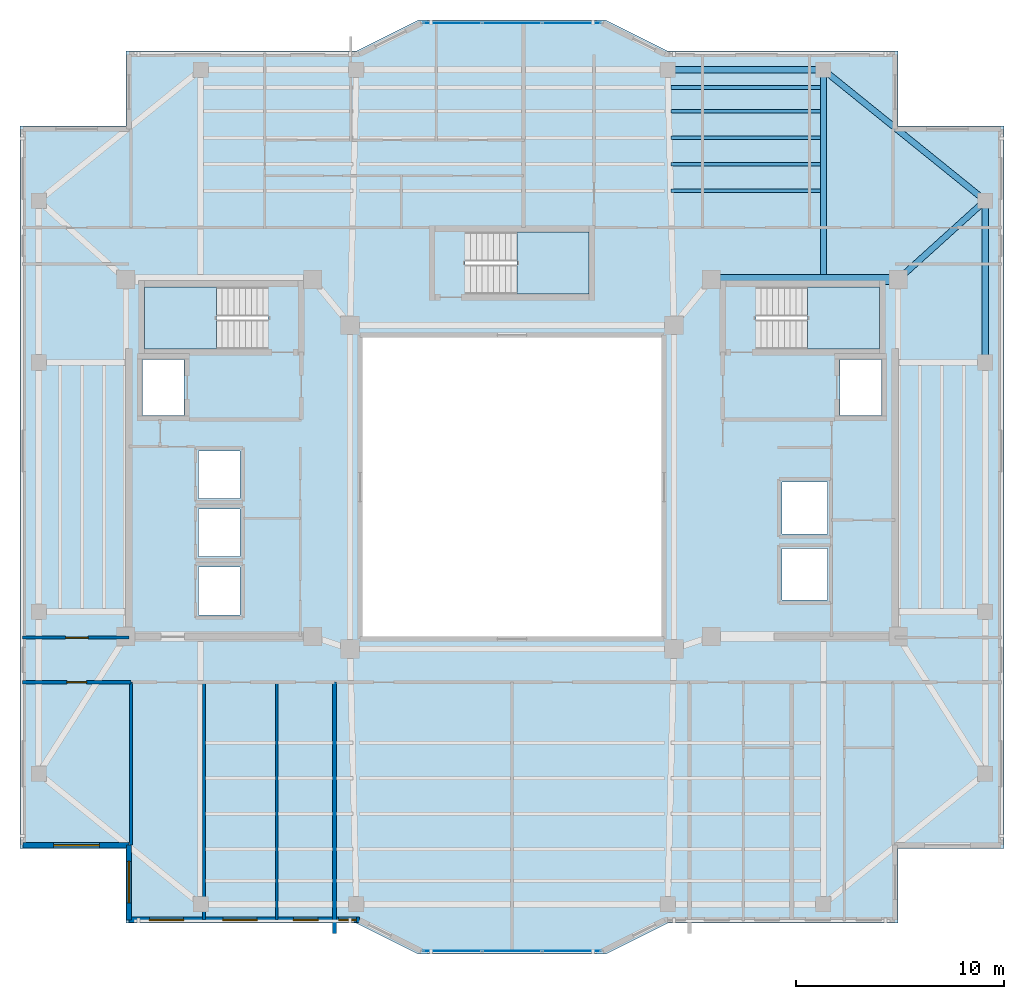
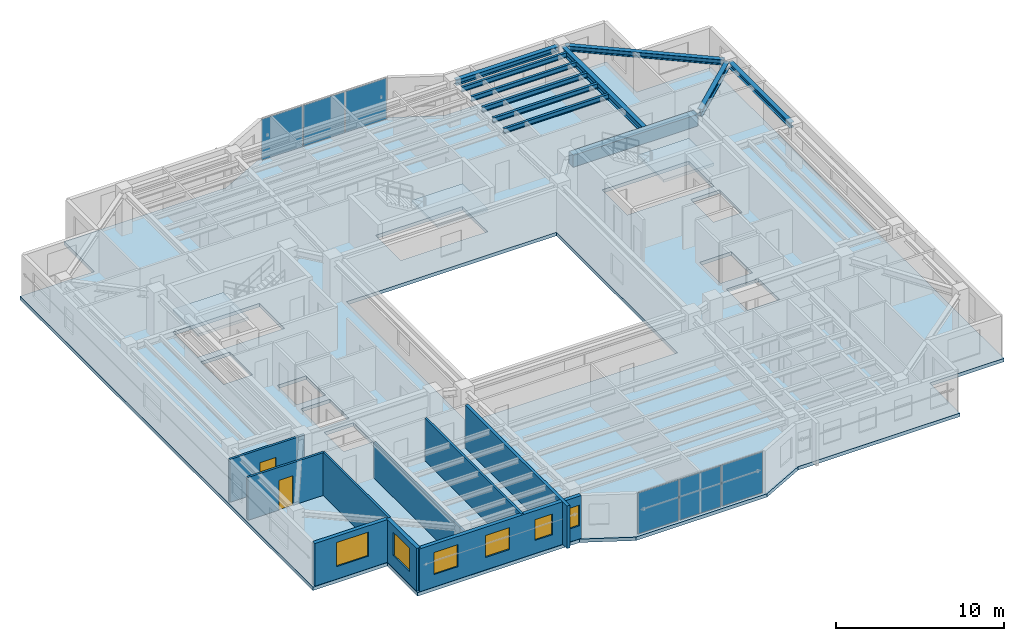
# One storey, part 5 of 13: 11 beams, 9 walls, 6 plates, 6 windows, 4 slabs, 2 doors, 8 openings, 5 elements without a shape of their own.
"""IFC4 building model written with IfcOpenShell, lengths in metres."""

from ifc_helpers import new_model, si_unit, direction, frame, frame_2d, origin, origin_2d, place, context, subcontext, project, spatial, polyline, rectangle, i_section, outline, extrude, material, layer, layer_set, material_profile, profile_set, type_object, element, fill, aggregate, save


model = new_model("IFC4")

# Units and contexts
model_context = context("Model", 3, precision=1e-05, world=origin(), true_north=direction((0.0, 1.0)))
body_context = subcontext(model_context, "Body", "Model", "MODEL_VIEW")
ifc_project = project(units=[si_unit("LENGTHUNIT", "METRE"), si_unit("AREAUNIT", "SQUARE_METRE"), si_unit("VOLUMEUNIT", "CUBIC_METRE"), si_unit("PLANEANGLEUNIT", "RADIAN"), si_unit("MASSUNIT", "GRAM", prefix="KILO")], contexts=[model_context])

# Site, building, storey
site_placement = place(None, origin())
site = spatial("IfcSite", under=ifc_project, at=site_placement, CompositionType="ELEMENT")
building_placement = place(site_placement, origin())
building = spatial("IfcBuilding", under=site, at=building_placement, Name="Tarnavaz Court Tower", CompositionType="ELEMENT")
storey_placement = place(building_placement, frame((0.0, 0.0, 193.60009765625)))
storey = spatial("IfcBuildingStorey", under=building, at=storey_placement, Name="L52", CompositionType="ELEMENT", Elevation=193.60009765625)

# Beams
ifc_material_1 = material(Name="Concrete C50/60", Category="concrete")
ifc_material_profile_1 = material_profile(ifc_material_1, rectangle(XDim=0.5, YDim=0.85009765625, at=origin_2d()), Name="RC 500X850")
ifc_profile_set_1 = profile_set([ifc_material_profile_1], Name="Concrete C50/60")
beam_type_1 = type_object("IfcBeamType", Name="BM-CB850", PredefinedType="LINTEL", material=ifc_profile_set_1)
beam_1_placement = place(storey_placement, frame((18.3798828125, 10.0, 2.6748046875), z_axis=(-1.0, 0.0, 0.0), x_axis=(0.0, -1.0, 0.0)))
element("IfcBeam", 1, at=beam_1_placement, inside=storey, type_object=beam_type_1, Name="L52 Beam IN-CE-NO-CE-NI", PredefinedType="LINTEL", context=body_context, shape_type="SweptSolid", body=[
    extrude(rectangle(XDim=0.5, YDim=0.85009765625, at=origin_2d()), origin(), (0.0, 0.0, 1.0), 8.559814453125),
])
ifc_material_2 = material(Name="Steel S355", Category="steel")
ifc_material_profile_2 = material_profile(ifc_material_2, i_section(OverallWidth=0.300048828125, OverallDepth=0.5, WebThickness=0.014404296875, FlangeThickness=0.028076171875, FilletRadius=0.027099609375, at=origin_2d()), Name="HEB 500")
ifc_profile_set_2 = profile_set([ifc_material_profile_2], Name="Steel S355")
beam_type_2 = type_object("IfcBeamType", Name="BM-G-HEB500", PredefinedType="USERDEFINED", material=ifc_profile_set_2)
beam_2_placement = place(storey_placement, frame((15.0, 10.0400390625, 2.849853515625), z_axis=(0.0, 1.0, 0.0), x_axis=(-1.0, 0.0, 0.0)))
element("IfcBeam", 2, at=beam_2_placement, inside=storey, type_object=beam_type_2, Name="L52 Beam RG-04", ObjectType="GIRDER", PredefinedType="USERDEFINED", context=body_context, shape_type="SweptSolid", body=[
    extrude(i_section(OverallWidth=0.300048828125, OverallDepth=0.5, WebThickness=0.014404296875, FlangeThickness=0.028076171875, FilletRadius=0.027099609375, at=origin_2d()), origin(), (0.0, 0.0, 1.0), 9.83984375),
])
beam_3_placement = place(storey_placement, frame((18.76318359375, 10.147705078125, 2.849853515625), z_axis=(0.741555708494, 0.670891296113, 0.0), x_axis=(-0.670891296113, 0.741555708494, 0.0)))
element("IfcBeam", 3, at=beam_3_placement, inside=storey, type_object=beam_type_2, Name="L52 Beam RG-12", ObjectType="GIRDER", PredefinedType="USERDEFINED", context=body_context, shape_type="SweptSolid", body=[
    extrude(i_section(OverallWidth=0.300048828125, OverallDepth=0.5, WebThickness=0.014404296875, FlangeThickness=0.028076171875, FilletRadius=0.027099609375, at=origin_2d()), origin(), (0.0, 0.0, 1.0), 5.223876953125),
])
ifc_material_profile_3 = material_profile(ifc_material_2, i_section(OverallWidth=0.169921875, OverallDepth=0.360107421875, WebThickness=0.008056640625, FlangeThickness=0.0126953125, FilletRadius=0.01806640625, at=origin_2d()), Name="IPE 360")
ifc_profile_set_3 = profile_set([ifc_material_profile_3], Name="Steel S355")
beam_type_3 = type_object("IfcBeamType", Name="BM-J-IPE360", PredefinedType="JOIST", material=ifc_profile_set_3)
for number, where, z_axis, x_axis, name in (
    (4, (7.64990234375, 14.278076171875, 2.919921875), (1.0, 0.0, 0.0), (0.0, 1.0, 0.0), "L52 Beam JN1-3"),
    (5, (7.64990234375, 15.555908203125, 2.919921875), (1.0, 0.0, 0.0), (0.0, 1.0, 0.0), "L52 Beam JN2-3"),
    (6, (7.64990234375, 16.833984375, 2.919921875), (1.0, 0.0, 0.0), (0.0, 1.0, 0.0), "L52 Beam JN3-3"),
    (7, (7.64990234375, 18.112060546875, 2.919921875), (1.0, 0.0, 0.0), (0.0, 1.0, 0.0), "L52 Beam JN4-3"),
    (8, (7.64990234375, 19.248046875, 2.919921875), (1.0, 0.0, 0.0), (0.0, 1.0, 0.0), "L52 Beam JN5-3"),
):
    element("IfcBeam", number, at=place(storey_placement, frame(where, z_axis=z_axis, x_axis=x_axis)), inside=storey, type_object=beam_type_3, Name=name, PredefinedType="JOIST", context=body_context, shape_type="SweptSolid", body=[
        extrude(i_section(OverallWidth=0.169921875, OverallDepth=0.360107421875, WebThickness=0.008056640625, FlangeThickness=0.0126953125, FilletRadius=0.01806640625, at=origin_2d()), origin(), (0.0, 0.0, 1.0), 7.2001953125),
    ])
ifc_material_profile_4 = material_profile(ifc_material_2, i_section(OverallWidth=0.300048828125, OverallDepth=0.389892578125, WebThickness=0.010986328125, FlangeThickness=0.01904296875, FilletRadius=0.027099609375, at=origin_2d()), Name="HEA 400")
ifc_profile_set_4 = profile_set([ifc_material_profile_4], Name="Steel S355")
beam_type_4 = type_object("IfcBeamType", Name="BM-SP-HEA400", PredefinedType="BEAM", material=ifc_profile_set_4)
beam_4_placement = place(storey_placement, frame((7.719970703125, 20.10009765625, 2.90478515625), z_axis=(1.0, 0.0, 0.0), x_axis=(0.0, 1.0, 0.0)))
element("IfcBeam", 9, at=beam_4_placement, inside=storey, type_object=beam_type_4, Name="L52 Beam PR-PN-3-PN-4", PredefinedType="BEAM", context=body_context, shape_type="SweptSolid", body=[
    extrude(i_section(OverallWidth=0.300048828125, OverallDepth=0.389892578125, WebThickness=0.010986328125, FlangeThickness=0.01904296875, FilletRadius=0.027099609375, at=origin_2d()), origin(), (0.0, 0.0, 1.0), 7.06005859375),
])
beam_5_placement = place(storey_placement, frame((22.800048828125, 6.219970703125, 2.90478515625), z_axis=(0.0, 1.0, 0.0), x_axis=(-1.0, 0.0, 0.0)))
element("IfcBeam", 10, at=beam_5_placement, inside=storey, type_object=beam_type_4, Name="L52 Beam PR-PE-3-PE-4", PredefinedType="BEAM", context=body_context, shape_type="SweptSolid", body=[
    extrude(i_section(OverallWidth=0.300048828125, OverallDepth=0.389892578125, WebThickness=0.010986328125, FlangeThickness=0.01904296875, FilletRadius=0.027099609375, at=origin_2d()), origin(), (0.0, 0.0, 1.0), 7.360107421875),
])
beam_6_placement = place(storey_placement, frame((15.171142578125, 19.9619140625, 2.90478515625), z_axis=(0.777935913531, -0.628343627674, 0.0), x_axis=(0.628343627674, 0.777935913531, 0.0)))
element("IfcBeam", 11, at=beam_6_placement, inside=storey, type_object=beam_type_4, Name="L52 Beam PR-PN-4-PE-4", PredefinedType="BEAM", context=body_context, shape_type="SweptSolid", body=[
    extrude(i_section(OverallWidth=0.300048828125, OverallDepth=0.389892578125, WebThickness=0.010986328125, FlangeThickness=0.01904296875, FilletRadius=0.027099609375, at=origin_2d()), origin(), (0.0, 0.0, 1.0), 9.586669921875),
])

# Curtain wall, plates
ifc_material_3 = material(Name="Anodised Aluminium 6063-T6 and Solar Low-E Glazing", Category="aluminium")
ifc_layer_1 = layer(ifc_material_3, 0.159912109375)
ifc_layer_set_1 = layer_set([ifc_layer_1], Name="Anodised Aluminium 6063-T6 and Solar Low-E Glazing")
curtain_wall_type = type_object("IfcCurtainWallType", Name="CW-SYS-03", PredefinedType="NOTDEFINED", material=ifc_layer_set_1)
curtain_wall_1_placement = place(storey_placement, origin())
curtain_wall_1 = element("IfcCurtainWall", 12, at=curtain_wall_1_placement, inside=storey, type_object=curtain_wall_type, Name="L52 Iwan Prow Curtain Wall 7", PredefinedType="NOTDEFINED")
ifc_material_4 = material(Name="Double-Glazed Solar Low-E Glass", Category="glass")
ifc_layer_2 = layer(ifc_material_4, 0.028076171875)
ifc_layer_set_2 = layer_set([ifc_layer_2], Name="Double-Glazed Solar Low-E Glass")
plate_type = type_object("IfcPlateType", Name="CW-PAN-GLZ28", PredefinedType="CURTAIN_PANEL", material=ifc_layer_set_2)
plate_1_placement = place(storey_placement, frame((-2.88134765625, 22.35009765625, 0.06494140625), z_axis=(0.0, 0.0, 1.0), x_axis=(1.0, 0.0, 0.0)))
plate_1 = element("IfcPlate", 13, at=plate_1_placement, type_object=plate_type, Name="CW panel 1.1", PredefinedType="CURTAIN_PANEL", context=body_context, shape_type="SweptSolid", body=[
    extrude(rectangle(XDim=2.78759765625, YDim=0.028076171875, at=origin_2d()), origin(), (0.0, 0.0, 1.0), 2.969970703125),
])
plate_2_placement = place(storey_placement, frame((0.0, 22.35009765625, 0.06494140625), z_axis=(0.0, 0.0, 1.0), x_axis=(1.0, 0.0, 0.0)))
plate_2 = element("IfcPlate", 14, at=plate_2_placement, type_object=plate_type, Name="CW panel 2.1", PredefinedType="CURTAIN_PANEL", context=body_context, shape_type="SweptSolid", body=[
    extrude(rectangle(XDim=2.824951171875, YDim=0.028076171875, at=origin_2d()), origin(), (0.0, 0.0, 1.0), 2.969970703125),
])
plate_3_placement = place(storey_placement, frame((2.88134765625, 22.35009765625, 0.06494140625), z_axis=(0.0, 0.0, 1.0), x_axis=(1.0, 0.0, 0.0)))
plate_3 = element("IfcPlate", 15, at=plate_3_placement, type_object=plate_type, Name="CW panel 3.1", PredefinedType="CURTAIN_PANEL", context=body_context, shape_type="SweptSolid", body=[
    extrude(rectangle(XDim=2.78759765625, YDim=0.028076171875, at=origin_2d()), origin(), (0.0, 0.0, 1.0), 2.969970703125),
])
aggregate(curtain_wall_1, [plate_1, plate_2, plate_3])

curtain_wall_2_placement = place(storey_placement, origin())
curtain_wall_2 = element("IfcCurtainWall", 16, at=curtain_wall_2_placement, inside=storey, type_object=curtain_wall_type, Name="L52 Iwan Prow Curtain Wall 17", PredefinedType="NOTDEFINED")
plate_4_placement = place(storey_placement, frame((2.88134765625, -22.35009765625, 0.06494140625), z_axis=(0.0, 0.0, 1.0), x_axis=(-1.0, 0.0, 0.0)))
plate_4 = element("IfcPlate", 17, at=plate_4_placement, type_object=plate_type, Name="CW panel 1.1", PredefinedType="CURTAIN_PANEL", context=body_context, shape_type="SweptSolid", body=[
    extrude(rectangle(XDim=2.78759765625, YDim=0.028076171875, at=origin_2d()), origin(), (0.0, 0.0, 1.0), 2.969970703125),
])
plate_5_placement = place(storey_placement, frame((0.0, -22.35009765625, 0.06494140625), z_axis=(0.0, 0.0, 1.0), x_axis=(-1.0, 0.0, 0.0)))
plate_5 = element("IfcPlate", 18, at=plate_5_placement, type_object=plate_type, Name="CW panel 2.1", PredefinedType="CURTAIN_PANEL", context=body_context, shape_type="SweptSolid", body=[
    extrude(rectangle(XDim=2.824951171875, YDim=0.028076171875, at=origin_2d()), origin(), (0.0, 0.0, 1.0), 2.969970703125),
])
plate_6_placement = place(storey_placement, frame((-2.88134765625, -22.35009765625, 0.06494140625), z_axis=(0.0, 0.0, 1.0), x_axis=(-1.0, 0.0, 0.0)))
plate_6 = element("IfcPlate", 19, at=plate_6_placement, type_object=plate_type, Name="CW panel 3.1", PredefinedType="CURTAIN_PANEL", context=body_context, shape_type="SweptSolid", body=[
    extrude(rectangle(XDim=2.78759765625, YDim=0.028076171875, at=origin_2d()), origin(), (0.0, 0.0, 1.0), 2.969970703125),
])
aggregate(curtain_wall_2, [plate_4, plate_5, plate_6])

# Stair, slab
ifc_material_5 = material(Name="Concrete C40/50", Category="concrete")
stair_type = type_object("IfcStairType", Name="ST-TWR-20R", PredefinedType="HALF_TURN_STAIR", material=ifc_material_5)
stair_1_placement = place(storey_placement, origin())
stair_1 = element("IfcStair", 20, at=stair_1_placement, inside=storey, type_object=stair_type, Name="L52 West Core Pressurized Exit Stair ST-W1", PredefinedType="HALF_TURN_STAIR")
ifc_layer_3 = layer(ifc_material_5, 0.199951171875)
ifc_layer_set_3 = layer_set([ifc_layer_3], Name="Concrete C40/50")
slab_type_1 = type_object("IfcSlabType", Name="SL-LAND-200", PredefinedType="LANDING", material=ifc_layer_set_3)
slab_1_placement = place(storey_placement, frame((0.0, 0.0, 1.474853515625)))
slab_1 = element("IfcSlab", 21, at=slab_1_placement, type_object=slab_type_1, Name="ST-W1 landing 1", PredefinedType="LANDING", context=body_context, shape_type="SweptSolid", body=[
    extrude(outline(polyline([(-14.239990234375, 9.639892578125), (-17.699951171875, 9.639892578125), (-17.699951171875, 6.64990234375), (-14.239990234375, 6.64990234375), (-14.239990234375, 9.639892578125)])), origin(), (0.0, 0.0, 1.0), 0.199951171875),
])
aggregate(stair_1, [slab_1])

stair_2_placement = place(storey_placement, origin())
stair_2 = element("IfcStair", 22, at=stair_2_placement, inside=storey, type_object=stair_type, Name="L52 East Core Pressurized Exit Stair ST-E1", PredefinedType="HALF_TURN_STAIR")
slab_2_placement = place(storey_placement, frame((0.0, 0.0, 1.474853515625)))
slab_2 = element("IfcSlab", 23, at=slab_2_placement, type_object=slab_type_1, Name="ST-E1 landing 1", PredefinedType="LANDING", context=body_context, shape_type="SweptSolid", body=[
    extrude(outline(polyline([(14.239990234375, 6.64990234375), (17.699951171875, 6.64990234375), (17.699951171875, 9.639892578125), (14.239990234375, 9.639892578125), (14.239990234375, 6.64990234375)])), origin(), (0.0, 0.0, 1.0), 0.199951171875),
])
aggregate(stair_2, [slab_2])

stair_3_placement = place(storey_placement, origin())
stair_3 = element("IfcStair", 24, at=stair_3_placement, inside=storey, type_object=stair_type, Name="L52 North Ring Pressurized Exit Stair ST-N1", PredefinedType="HALF_TURN_STAIR")
slab_3_placement = place(storey_placement, frame((0.0, 0.0, 1.474853515625)))
slab_3 = element("IfcSlab", 25, at=slab_3_placement, type_object=slab_type_1, Name="ST-N1 landing 1", PredefinedType="LANDING", context=body_context, shape_type="SweptSolid", body=[
    extrude(outline(polyline([(0.239990234375, 9.300048828125), (3.699951171875, 9.300048828125), (3.699951171875, 12.2900390625), (0.239990234375, 12.2900390625), (0.239990234375, 9.300048828125)])), origin(), (0.0, 0.0, 1.0), 0.199951171875),
])
aggregate(stair_3, [slab_3])

# Slab
ifc_layer_4 = layer(ifc_material_5, 0.25)
ifc_layer_set_4 = layer_set([ifc_layer_4], Name="Concrete C40/50")
slab_type_2 = type_object("IfcSlabType", Name="SL-RES-250", PredefinedType="FLOOR", material=ifc_layer_set_4)
slab_4_placement = place(storey_placement, frame((0.0, 0.0, -0.25)))
element("IfcSlab", 26, at=slab_4_placement, inside=storey, type_object=slab_type_2, Name="L52 Structural Floor Slab", PredefinedType="FLOOR", context=body_context, shape_type="SweptSolid", body=[
    extrude(outline(polyline([(-18.60009765625, -21.0), (-7.5, -21.0), (-4.5, -22.5), (4.5, -22.5), (7.5, -21.0), (18.60009765625, -21.0), (18.60009765625, -17.39990234375), (23.699951171875, -17.39990234375), (23.699951171875, 17.39990234375), (18.60009765625, 17.39990234375), (18.60009765625, 21.0), (7.5, 21.0), (4.5, 22.5), (-4.5, 22.5), (-7.5, 21.0), (-18.60009765625, 21.0), (-18.60009765625, 17.39990234375), (-23.699951171875, 17.39990234375), (-23.699951171875, -17.39990234375), (-18.60009765625, -17.39990234375), (-18.60009765625, -21.0)]), holes=[polyline([(-7.199951171875, -7.199951171875), (7.199951171875, -7.199951171875), (7.199951171875, 7.199951171875), (-7.199951171875, 7.199951171875), (-7.199951171875, -7.199951171875)]), polyline([(-11.7451171875, 9.639892578125), (-17.699951171875, 9.639892578125), (-17.699951171875, 6.64990234375), (-11.7451171875, 6.64990234375), (-11.7451171875, 9.639892578125)]), polyline([(11.7451171875, 6.64990234375), (17.699951171875, 6.64990234375), (17.699951171875, 9.639892578125), (11.7451171875, 9.639892578125), (11.7451171875, 6.64990234375)]), polyline([(-2.2548828125, 9.300048828125), (3.699951171875, 9.300048828125), (3.699951171875, 12.2900390625), (-2.2548828125, 12.2900390625), (-2.2548828125, 9.300048828125)]), polyline([(-17.800048828125, 3.449951171875), (-15.800048828125, 3.449951171875), (-15.800048828125, 6.14990234375), (-17.800048828125, 6.14990234375), (-17.800048828125, 3.449951171875)]), polyline([(-15.10009765625, -6.14990234375), (-13.10009765625, -6.14990234375), (-13.10009765625, -3.85009765625), (-15.10009765625, -3.85009765625), (-15.10009765625, -6.14990234375)]), polyline([(-15.10009765625, -3.35009765625), (-13.10009765625, -3.35009765625), (-13.10009765625, -1.050048828125), (-15.10009765625, -1.050048828125), (-15.10009765625, -3.35009765625)]), polyline([(-15.10009765625, -0.550048828125), (-13.10009765625, -0.550048828125), (-13.10009765625, 1.75), (-15.10009765625, 1.75), (-15.10009765625, -0.550048828125)]), polyline([(15.800048828125, 3.449951171875), (17.800048828125, 3.449951171875), (17.800048828125, 6.14990234375), (15.800048828125, 6.14990234375), (15.800048828125, 3.449951171875)]), polyline([(13.0, -5.449951171875), (15.199951171875, -5.449951171875), (15.199951171875, -2.949951171875), (13.0, -2.949951171875), (13.0, -5.449951171875)]), polyline([(13.0, -2.25), (15.199951171875, -2.25), (15.199951171875, 0.25), (13.0, 0.25), (13.0, -2.25)])]), origin(), (0.0, 0.0, 1.0), 0.25),
])

# Wall, opening, window
ifc_material_6 = material(Name="Precast Concrete C40/50", Category="concrete")
ifc_layer_5 = layer(ifc_material_6, 0.260009765625)
ifc_layer_set_5 = layer_set([ifc_layer_5], Name="Precast Concrete C40/50")
wall_type_1 = type_object("IfcWallType", Name="WL-EXT-260", PredefinedType="SOLIDWALL", material=ifc_layer_set_5)
wall_1_placement = place(storey_placement, frame((-18.449951171875, -17.25, 0.0), z_axis=(0.0, 0.0, 1.0), x_axis=(-1.0, 0.0, 0.0)))
wall_1 = element("IfcWall", 27, at=wall_1_placement, inside=storey, type_object=wall_type_1, Name="L52 Exterior Terracotta Facade Wall 01", PredefinedType="SOLIDWALL", context=body_context, shape_type="SweptSolid", body=[
    extrude(rectangle(XDim=5.10009765625, YDim=0.260009765625, at=frame_2d((2.550048828125, 0.0))), origin(), (0.0, 0.0, 1.0), 3.099853515625),
])
opening_1_placement = place(wall_1_placement, frame((1.425048828125, 0.0, 0.89990234375)))
opening_1 = element("IfcOpeningElement", 28, at=opening_1_placement, cuts=wall_1, Name="Opening W07", PredefinedType="OPENING", context=body_context, shape_type="SweptSolid", body=[
    extrude(rectangle(XDim=2.199951171875, YDim=1.75, at=frame_2d((1.10009765625, 0.875))), frame((0.0, 0.139892578125, 0.0), z_axis=(0.0, -1.0, 0.0), x_axis=(1.0, 0.0, 0.0)), (0.0, 0.0, 1.0), 0.280029296875),
])
window_type_1 = type_object("IfcWindowType", Name="WN-APT-2200", PartitioningType="TRIPLE_PANEL_VERTICAL", PredefinedType="WINDOW", material=ifc_material_4)
window_1_placement = place(opening_1_placement, origin())
window_1 = element("IfcWindow", 29, at=window_1_placement, inside=storey, type_object=window_type_1, Name="L52 South-West Corner Reading Room Window", OverallHeight=1.75, OverallWidth=2.199951171875, PartitioningType="SINGLE_PANEL", PredefinedType="WINDOW", context=body_context, shape_type="SweptSolid", body=[
    extrude(rectangle(XDim=2.199951171875, YDim=1.75, at=frame_2d((1.10009765625, 0.875))), frame((0.0, 0.030029296875, 0.0), z_axis=(0.0, -1.0, 0.0), x_axis=(1.0, 0.0, 0.0)), (0.0, 0.0, 1.0), 0.06005859375),
])
fill(opening_1, window_1)

# Wall, openings, windows
wall_2_placement = place(storey_placement, frame((-7.35009765625, -20.85009765625, 0.0), z_axis=(0.0, 0.0, 1.0), x_axis=(-1.0, 0.0, 0.0)))
wall_2 = element("IfcWall", 30, at=wall_2_placement, inside=storey, type_object=wall_type_1, Name="L52 Exterior Terracotta Facade Wall 19", PredefinedType="SOLIDWALL", context=body_context, shape_type="SweptSolid", body=[
    extrude(rectangle(XDim=11.099853515625, YDim=0.260009765625, at=frame_2d((5.5498046875, 0.0))), origin(), (0.0, 0.0, 1.0), 3.099853515625),
])
opening_2_placement = place(wall_2_placement, frame((0.1474609375, 0.0, 0.949951171875)))
opening_2 = element("IfcOpeningElement", 31, at=opening_2_placement, cuts=wall_2, Name="Opening W15", PredefinedType="OPENING", context=body_context, shape_type="SweptSolid", body=[
    extrude(rectangle(XDim=0.85009765625, YDim=1.5, at=frame_2d((0.425048828125, 0.75))), frame((0.0, 0.139892578125, 0.0), z_axis=(0.0, -1.0, 0.0), x_axis=(1.0, 0.0, 0.0)), (0.0, 0.0, 1.0), 0.280029296875),
])
opening_3_placement = place(wall_2_placement, frame((1.98681640625, 0.0, 0.949951171875)))
opening_3 = element("IfcOpeningElement", 32, at=opening_3_placement, cuts=wall_2, Name="Opening W05", PredefinedType="OPENING", context=body_context, shape_type="SweptSolid", body=[
    extrude(rectangle(XDim=1.199951171875, YDim=1.5, at=frame_2d((0.60009765625, 0.75))), frame((0.0, 0.139892578125, 0.0), z_axis=(0.0, -1.0, 0.0), x_axis=(1.0, 0.0, 0.0)), (0.0, 0.0, 1.0), 0.280029296875),
])
opening_4_placement = place(wall_2_placement, frame((4.92578125, 0.0, 0.89990234375)))
opening_4 = element("IfcOpeningElement", 33, at=opening_4_placement, cuts=wall_2, Name="Opening W02", PredefinedType="OPENING", context=body_context, shape_type="SweptSolid", body=[
    extrude(rectangle(XDim=1.64990234375, YDim=1.60009765625, at=frame_2d((0.824951171875, 0.800048828125))), frame((0.0, 0.139892578125, 0.0), z_axis=(0.0, -1.0, 0.0), x_axis=(1.0, 0.0, 0.0)), (0.0, 0.0, 1.0), 0.280029296875),
])
opening_5_placement = place(wall_2_placement, frame((8.466796875, 0.0, 0.89990234375)))
opening_5 = element("IfcOpeningElement", 34, at=opening_5_placement, cuts=wall_2, Name="Opening W02", PredefinedType="OPENING", context=body_context, shape_type="SweptSolid", body=[
    extrude(rectangle(XDim=1.64990234375, YDim=1.60009765625, at=frame_2d((0.824951171875, 0.800048828125))), frame((0.0, 0.139892578125, 0.0), z_axis=(0.0, -1.0, 0.0), x_axis=(1.0, 0.0, 0.0)), (0.0, 0.0, 1.0), 0.280029296875),
])
window_type_2 = type_object("IfcWindowType", Name="WN-APT-1200", PartitioningType="SINGLE_PANEL", PredefinedType="WINDOW", material=ifc_material_4)
window_2_placement = place(opening_3_placement, origin())
window_2 = element("IfcWindow", 35, at=window_2_placement, inside=storey, type_object=window_type_2, Name="L52 Resident Focus Seminar Room Window", OverallHeight=1.5, OverallWidth=1.199951171875, PartitioningType="SINGLE_PANEL", PredefinedType="WINDOW", context=body_context, shape_type="SweptSolid", body=[
    extrude(rectangle(XDim=1.199951171875, YDim=1.5, at=frame_2d((0.60009765625, 0.75))), frame((0.0, 0.030029296875, 0.0), z_axis=(0.0, -1.0, 0.0), x_axis=(1.0, 0.0, 0.0)), (0.0, 0.0, 1.0), 0.06005859375),
])
fill(opening_3, window_2)
window_type_3 = type_object("IfcWindowType", Name="WN-APT-1650", PartitioningType="DOUBLE_PANEL_VERTICAL", PredefinedType="WINDOW", material=ifc_material_4)
window_3_placement = place(opening_4_placement, origin())
window_3 = element("IfcWindow", 36, at=window_3_placement, inside=storey, type_object=window_type_3, Name="L52 Quiet Reading Library Room Window", OverallHeight=1.60009765625, OverallWidth=1.64990234375, PartitioningType="SINGLE_PANEL", PredefinedType="WINDOW", context=body_context, shape_type="SweptSolid", body=[
    extrude(rectangle(XDim=1.64990234375, YDim=1.60009765625, at=frame_2d((0.824951171875, 0.800048828125))), frame((0.0, 0.030029296875, 0.0), z_axis=(0.0, -1.0, 0.0), x_axis=(1.0, 0.0, 0.0)), (0.0, 0.0, 1.0), 0.06005859375),
])
fill(opening_4, window_3)
window_4_placement = place(opening_5_placement, origin())
window_4 = element("IfcWindow", 37, at=window_4_placement, inside=storey, type_object=window_type_3, Name="L52 Resident Co-Working Study Room Window", OverallHeight=1.60009765625, OverallWidth=1.64990234375, PartitioningType="SINGLE_PANEL", PredefinedType="WINDOW", context=body_context, shape_type="SweptSolid", body=[
    extrude(rectangle(XDim=1.64990234375, YDim=1.60009765625, at=frame_2d((0.824951171875, 0.800048828125))), frame((0.0, 0.030029296875, 0.0), z_axis=(0.0, -1.0, 0.0), x_axis=(1.0, 0.0, 0.0)), (0.0, 0.0, 1.0), 0.06005859375),
])
fill(opening_5, window_4)
window_type_4 = type_object("IfcWindowType", Name="WN-APT-850", PartitioningType="SINGLE_PANEL", PredefinedType="WINDOW", material=ifc_material_4)
window_5_placement = place(opening_2_placement, origin())
window_5 = element("IfcWindow", 38, at=window_5_placement, inside=storey, type_object=window_type_4, Name="L52 South Courtyard Majlis Lounge Window", OverallHeight=1.5, OverallWidth=0.85009765625, PartitioningType="SINGLE_PANEL", PredefinedType="WINDOW", context=body_context, shape_type="SweptSolid", body=[
    extrude(rectangle(XDim=0.85009765625, YDim=1.5, at=frame_2d((0.425048828125, 0.75))), frame((0.0, 0.030029296875, 0.0), z_axis=(0.0, -1.0, 0.0), x_axis=(1.0, 0.0, 0.0)), (0.0, 0.0, 1.0), 0.06005859375),
])
fill(opening_2, window_5)

# Wall, opening, window
wall_3_placement = place(storey_placement, frame((-18.449951171875, -20.85009765625, 0.0), z_axis=(0.0, 0.0, 1.0), x_axis=(0.0, 1.0, 0.0)))
wall_3 = element("IfcWall", 39, at=wall_3_placement, inside=storey, type_object=wall_type_1, Name="L52 Exterior Terracotta Facade Wall 20", PredefinedType="SOLIDWALL", context=body_context, shape_type="SweptSolid", body=[
    extrude(rectangle(XDim=3.60009765625, YDim=0.260009765625, at=frame_2d((1.800048828125, 0.0))), origin(), (0.0, 0.0, 1.0), 3.099853515625),
])
opening_6_placement = place(wall_3_placement, frame((0.8173828125, 0.0, 0.89990234375)))
opening_6 = element("IfcOpeningElement", 40, at=opening_6_placement, cuts=wall_3, Name="Opening W08", PredefinedType="OPENING", context=body_context, shape_type="SweptSolid", body=[
    extrude(rectangle(XDim=2.0, YDim=1.699951171875, at=frame_2d((1.0, 0.85009765625))), frame((0.0, 0.139892578125, 0.0), z_axis=(0.0, -1.0, 0.0), x_axis=(1.0, 0.0, 0.0)), (0.0, 0.0, 1.0), 0.280029296875),
])
window_type_5 = type_object("IfcWindowType", Name="WN-APT-2000", PartitioningType="DOUBLE_PANEL_VERTICAL", PredefinedType="WINDOW", material=ifc_material_4)
window_6_placement = place(opening_6_placement, origin())
window_6 = element("IfcWindow", 41, at=window_6_placement, inside=storey, type_object=window_type_5, Name="L52 Resident Co-Working Study Room Window", OverallHeight=1.699951171875, OverallWidth=2.0, PartitioningType="SINGLE_PANEL", PredefinedType="WINDOW", context=body_context, shape_type="SweptSolid", body=[
    extrude(rectangle(XDim=2.0, YDim=1.699951171875, at=frame_2d((1.0, 0.85009765625))), frame((0.0, 0.030029296875, 0.0), z_axis=(0.0, -1.0, 0.0), x_axis=(1.0, 0.0, 0.0)), (0.0, 0.0, 1.0), 0.06005859375),
])
fill(opening_6, window_6)

# Wall, opening, door
ifc_material_7 = material(Name="Gypsum Fire-Board on Acoustic Metal Stud", Category="masonry")
ifc_layer_6 = layer(ifc_material_7, 0.14990234375)
ifc_layer_set_6 = layer_set([ifc_layer_6], Name="Gypsum Fire-Board on Acoustic Metal Stud")
wall_type_2 = type_object("IfcWallType", Name="WL-FIRE-150", PredefinedType="PARTITIONING", material=ifc_layer_set_6)
wall_4_placement = place(storey_placement, frame((-23.580078125, -7.25, 0.0), z_axis=(0.0, 0.0, 1.0), x_axis=(1.0, 0.0, 0.0)))
wall_4 = element("IfcWall", 42, at=wall_4_placement, inside=storey, type_object=wall_type_2, Name="L52 Interior Partition 085", PredefinedType="PARTITIONING", context=body_context, shape_type="SweptSolid", body=[
    extrude(rectangle(XDim=5.130126953125, YDim=0.14990234375, at=frame_2d((2.56494140625, 0.0))), origin(), (0.0, 0.0, 1.0), 3.099853515625),
])
opening_7_placement = place(wall_4_placement, frame((2.080078125, 0.0, 0.0)))
opening_7 = element("IfcOpeningElement", 43, at=opening_7_placement, cuts=wall_4, Name="Opening D12", PredefinedType="OPENING", context=body_context, shape_type="SweptSolid", body=[
    extrude(rectangle(XDim=1.080078125, YDim=2.14990234375, at=frame_2d((0.5400390625, 1.074951171875))), frame((0.0, 0.0849609375, 0.0), z_axis=(0.0, -1.0, 0.0), x_axis=(1.0, 0.0, 0.0)), (0.0, 0.0, 1.0), 0.169921875),
])
ifc_material_8 = material(Name="Engineered Oak Timber", Category="wood")
door_type_1 = type_object("IfcDoorType", Name="DR-INT-1100", OperationType="NOTDEFINED", PredefinedType="DOOR", material=ifc_material_8)
door_1_placement = place(opening_7_placement, origin())
door_1 = element("IfcDoor", 44, at=door_1_placement, inside=storey, type_object=door_type_1, Name="L52 West Study Gallery Door", OperationType="SINGLE_SWING_LEFT", OverallHeight=2.14990234375, OverallWidth=1.080078125, PredefinedType="DOOR", context=body_context, shape_type="SweptSolid", body=[
    extrude(rectangle(XDim=1.080078125, YDim=2.14990234375, at=frame_2d((0.5400390625, 1.074951171875))), frame((0.0, 0.02490234375, 0.0), z_axis=(0.0, -1.0, 0.0), x_axis=(1.0, 0.0, 0.0)), (0.0, 0.0, 1.0), 0.050048828125),
])
fill(opening_7, door_1)

wall_5_placement = place(storey_placement, frame((-23.580078125, -9.39990234375, 0.0), z_axis=(0.0, 0.0, 1.0), x_axis=(1.0, 0.0, 0.0)))
wall_5 = element("IfcWall", 45, at=wall_5_placement, inside=storey, type_object=wall_type_2, Name="L52 Interior Partition 095", PredefinedType="PARTITIONING", context=body_context, shape_type="SweptSolid", body=[
    extrude(rectangle(XDim=5.22998046875, YDim=0.14990234375, at=frame_2d((2.614990234375, 0.0))), origin(), (0.0, 0.0, 1.0), 3.099853515625),
])
opening_8_placement = place(wall_5_placement, frame((2.139892578125, 0.0, 0.0)))
opening_8 = element("IfcOpeningElement", 46, at=opening_8_placement, cuts=wall_5, Name="Opening D13", PredefinedType="OPENING", context=body_context, shape_type="SweptSolid", body=[
    extrude(rectangle(XDim=0.949951171875, YDim=2.14990234375, at=frame_2d((0.47509765625, 1.074951171875))), frame((0.0, 0.0849609375, 0.0), z_axis=(0.0, -1.0, 0.0), x_axis=(1.0, 0.0, 0.0)), (0.0, 0.0, 1.0), 0.169921875),
])
door_type_2 = type_object("IfcDoorType", Name="DR-INT-950", OperationType="NOTDEFINED", PredefinedType="DOOR", material=ifc_material_8)
door_2_placement = place(opening_8_placement, origin())
door_2 = element("IfcDoor", 47, at=door_2_placement, inside=storey, type_object=door_type_2, Name="L52 SW Reading Room Door", OperationType="SINGLE_SWING_LEFT", OverallHeight=2.14990234375, OverallWidth=0.949951171875, PredefinedType="DOOR", context=body_context, shape_type="SweptSolid", body=[
    extrude(rectangle(XDim=0.949951171875, YDim=2.14990234375, at=frame_2d((0.47509765625, 1.074951171875))), frame((0.0, 0.02490234375, 0.0), z_axis=(0.0, -1.0, 0.0), x_axis=(1.0, 0.0, 0.0)), (0.0, 0.0, 1.0), 0.050048828125),
])
fill(opening_8, door_2)

# Walls
ifc_material_9 = material(Name="Autoclaved Aerated Concrete Blockwork", Category="masonry")
ifc_layer_7 = layer(ifc_material_9, 0.199951171875)
ifc_layer_set_7 = layer_set([ifc_layer_7], Name="Autoclaved Aerated Concrete Blockwork")
wall_type_3 = type_object("IfcWallType", Name="WL-FIRE-200", PredefinedType="SOLIDWALL", material=ifc_layer_set_7)
wall_6_placement = place(storey_placement, frame((-8.550048828125, -21.50390625, 0.0), z_axis=(0.0, 0.0, 1.0), x_axis=(0.0, 1.0, 0.0)))
element("IfcWall", 48, at=wall_6_placement, inside=storey, type_object=wall_type_3, Name="L52 Party Wall 081", PredefinedType="SOLIDWALL", context=body_context, shape_type="SweptSolid", body=[
    extrude(rectangle(XDim=12.10400390625, YDim=0.199951171875, at=frame_2d((6.052001953125, 0.0))), origin(), (0.0, 0.0, 1.0), 3.099853515625),
])
ifc_material_10 = material(Name="Gypsum Plasterboard Acoustic Partition", Category="masonry")
ifc_layer_8 = layer(ifc_material_10, 0.139892578125)
ifc_layer_set_8 = layer_set([ifc_layer_8], Name="Gypsum Plasterboard Acoustic Partition")
wall_type_4 = type_object("IfcWallType", Name="WL-PART-150", PredefinedType="PARTITIONING", material=ifc_layer_set_8)
wall_7_placement = place(storey_placement, frame((-14.840087890625, -20.85009765625, 0.0), z_axis=(0.0, 0.0, 1.0), x_axis=(0.0, 1.0, 0.0)))
element("IfcWall", 49, at=wall_7_placement, inside=storey, type_object=wall_type_4, Name="L52 Interior Partition 072", PredefinedType="PARTITIONING", context=body_context, shape_type="SweptSolid", body=[
    extrude(rectangle(XDim=11.4501953125, YDim=0.139892578125, at=frame_2d((5.72509765625, 0.0))), origin(), (0.0, 0.0, 1.0), 2.5849609375),
])
wall_8_placement = place(storey_placement, frame((-11.330078125, -20.85009765625, 0.0), z_axis=(0.0, 0.0, 1.0), x_axis=(0.0, 1.0, 0.0)))
element("IfcWall", 50, at=wall_8_placement, inside=storey, type_object=wall_type_4, Name="L52 Interior Partition 073", PredefinedType="PARTITIONING", context=body_context, shape_type="SweptSolid", body=[
    extrude(rectangle(XDim=11.4501953125, YDim=0.139892578125, at=frame_2d((5.72509765625, 0.0))), origin(), (0.0, 0.0, 1.0), 3.099853515625),
])
wall_9_placement = place(storey_placement, frame((-18.35009765625, -17.25, 0.0), z_axis=(0.0, 0.0, 1.0), x_axis=(0.0, 1.0, 0.0)))
element("IfcWall", 51, at=wall_9_placement, inside=storey, type_object=wall_type_4, Name="L52 Interior Partition 089", PredefinedType="PARTITIONING", context=body_context, shape_type="SweptSolid", body=[
    extrude(rectangle(XDim=7.85009765625, YDim=0.139892578125, at=frame_2d((3.925048828125, 0.0))), origin(), (0.0, 0.0, 1.0), 3.099853515625),
])

save(model, "model.ifc")
